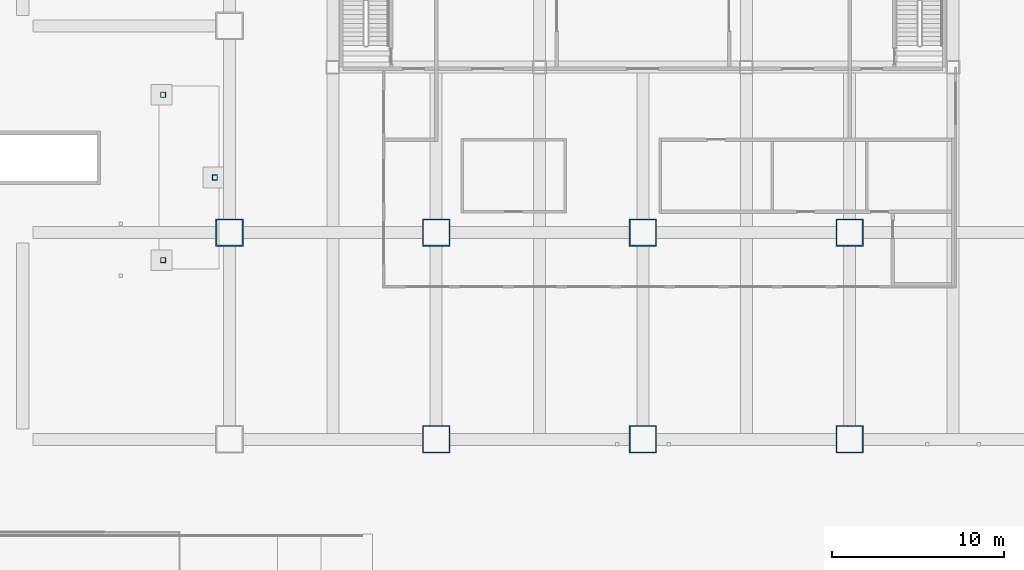
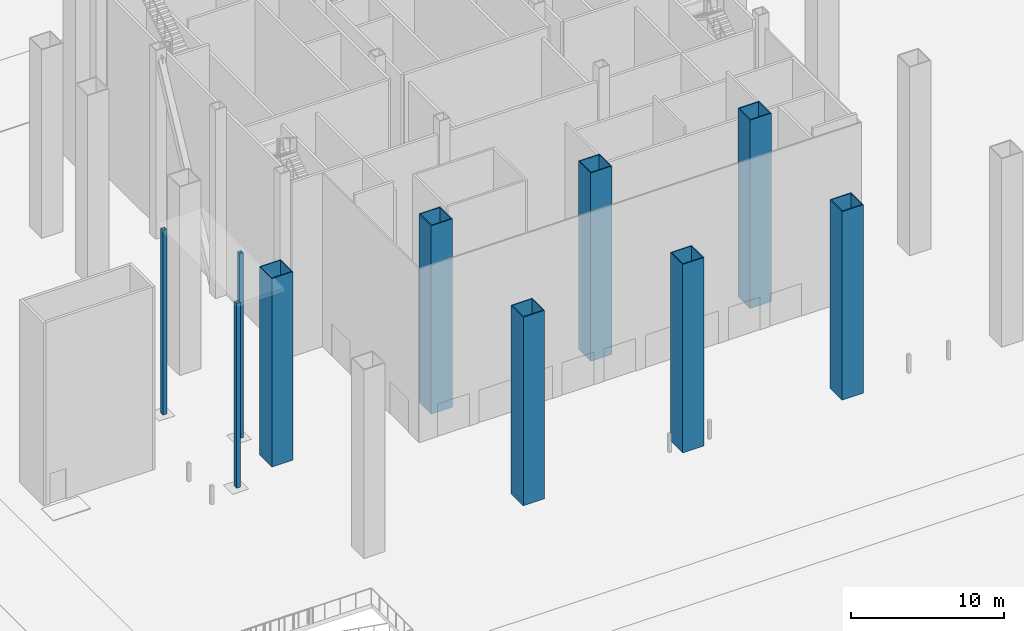
# One storey, part 2 of 22: 10 columns.
"""IFC4 building model written with IfcOpenShell, lengths in metres."""

from ifc_helpers import new_model, si_unit, direction, frame, origin, origin_2d, place, context, subcontext, project, spatial, hollow_rectangle, extrude, material, material_profile, profile_set, type_object, element, save


model = new_model("IFC4")

# Units and contexts
model_context = context("Model", 3, precision=1e-05, world=origin(), true_north=direction((0.0, 1.0)))
body_context = subcontext(model_context, "Body", "Model", "MODEL_VIEW")
ifc_project = project(units=[si_unit("LENGTHUNIT", "METRE"), si_unit("AREAUNIT", "SQUARE_METRE"), si_unit("VOLUMEUNIT", "CUBIC_METRE"), si_unit("PLANEANGLEUNIT", "RADIAN"), si_unit("MASSUNIT", "GRAM", prefix="KILO")], contexts=[model_context])

# Site, building, storey
site_placement = place(None, origin())
site = spatial("IfcSite", under=ifc_project, at=site_placement, CompositionType="ELEMENT")
building_placement = place(site_placement, origin())
building = spatial("IfcBuilding", under=site, at=building_placement, Name="Sorahane Residences", CompositionType="ELEMENT")
storey_placement = place(building_placement, origin())
storey = spatial("IfcBuildingStorey", under=building, at=storey_placement, Name="L00", CompositionType="ELEMENT", Elevation=0.0)

# Columns
ifc_material_1 = material(Name="Steel Q355B", Category="steel")
ifc_material_profile_1 = material_profile(ifc_material_1, hollow_rectangle(XDim=0.300048828125, YDim=0.300048828125, WallThickness=0.01611328125, at=origin_2d()), Name="BOX 300x300x16")
ifc_profile_set_1 = profile_set([ifc_material_profile_1], Name="Steel Q355B")
column_type_1 = type_object("IfcColumnType", Name="Canopy post BOX 300x300x16 Q355B", PredefinedType="COLUMN", material=ifc_profile_set_1)
for number, where, z_axis, x_axis, name in (
    (1, (-3.85009765625, 10.39990234375, 0.0), (0.0, 0.0, 1.0), (1.0, 0.0, 0.0), "Canopy post"),
    (2, (-3.85009765625, 20.0, 0.0), (0.0, 0.0, 1.0), (1.0, 0.0, 0.0), "Canopy post"),
    (3, (-0.85009765625, 15.199951171875, 0.0), (0.0, 0.0, 1.0), (1.0, 0.0, 0.0), "Canopy post"),
):
    element("IfcColumn", number, at=place(storey_placement, frame(where, z_axis=z_axis, x_axis=x_axis)), inside=storey, type_object=column_type_1, Name=name, PredefinedType="COLUMN", context=body_context, shape_type="SweptSolid", body=[
        extrude(hollow_rectangle(XDim=0.300048828125, YDim=0.300048828125, WallThickness=0.01611328125, at=origin_2d()), origin(), (0.0, 0.0, 1.0), 14.699951171875),
    ])
ifc_material_2 = material(Name="Steel Q420GJ", Category="steel")
ifc_material_profile_2 = material_profile(ifc_material_2, hollow_rectangle(XDim=1.60009765625, YDim=1.60009765625, WallThickness=0.070068359375, at=origin_2d()), Name="BOX 1600x1600x70")
ifc_profile_set_2 = profile_set([ifc_material_profile_2], Name="Steel Q420GJ")
column_type_2 = type_object("IfcColumnType", Name="Steel box column BOX 1600x1600x70 Q420GJ", PredefinedType="COLUMN", material=ifc_profile_set_2)
for number, where, z_axis, x_axis, name in (
    (4, (0.0, 12.0, 0.0), (0.0, 0.0, 1.0), (1.0, 0.0, 0.0), "Column L00 0/12"),
    (5, (12.0, 0.0, 0.0), (0.0, 0.0, 1.0), (1.0, 0.0, 0.0), "Column L00 12/0"),
    (6, (12.0, 12.0, 0.0), (0.0, 0.0, 1.0), (1.0, 0.0, 0.0), "Column L00 12/12"),
    (7, (24.0, 0.0, 0.0), (0.0, 0.0, 1.0), (1.0, 0.0, 0.0), "Column L00 24/0"),
    (8, (24.0, 12.0, 0.0), (0.0, 0.0, 1.0), (1.0, 0.0, 0.0), "Column L00 24/12"),
    (9, (36.0, 0.0, 0.0), (0.0, 0.0, 1.0), (1.0, 0.0, 0.0), "Column L00 36/0"),
    (10, (36.0, 12.0, 0.0), (0.0, 0.0, 1.0), (1.0, 0.0, 0.0), "Column L00 36/12"),
):
    element("IfcColumn", number, at=place(storey_placement, frame(where, z_axis=z_axis, x_axis=x_axis)), inside=storey, type_object=column_type_2, Name=name, PredefinedType="COLUMN", context=body_context, shape_type="SweptSolid", body=[
        extrude(hollow_rectangle(XDim=1.60009765625, YDim=1.60009765625, WallThickness=0.070068359375, at=origin_2d()), origin(), (0.0, 0.0, 1.0), 15.0),
    ])

save(model, "model.ifc")
